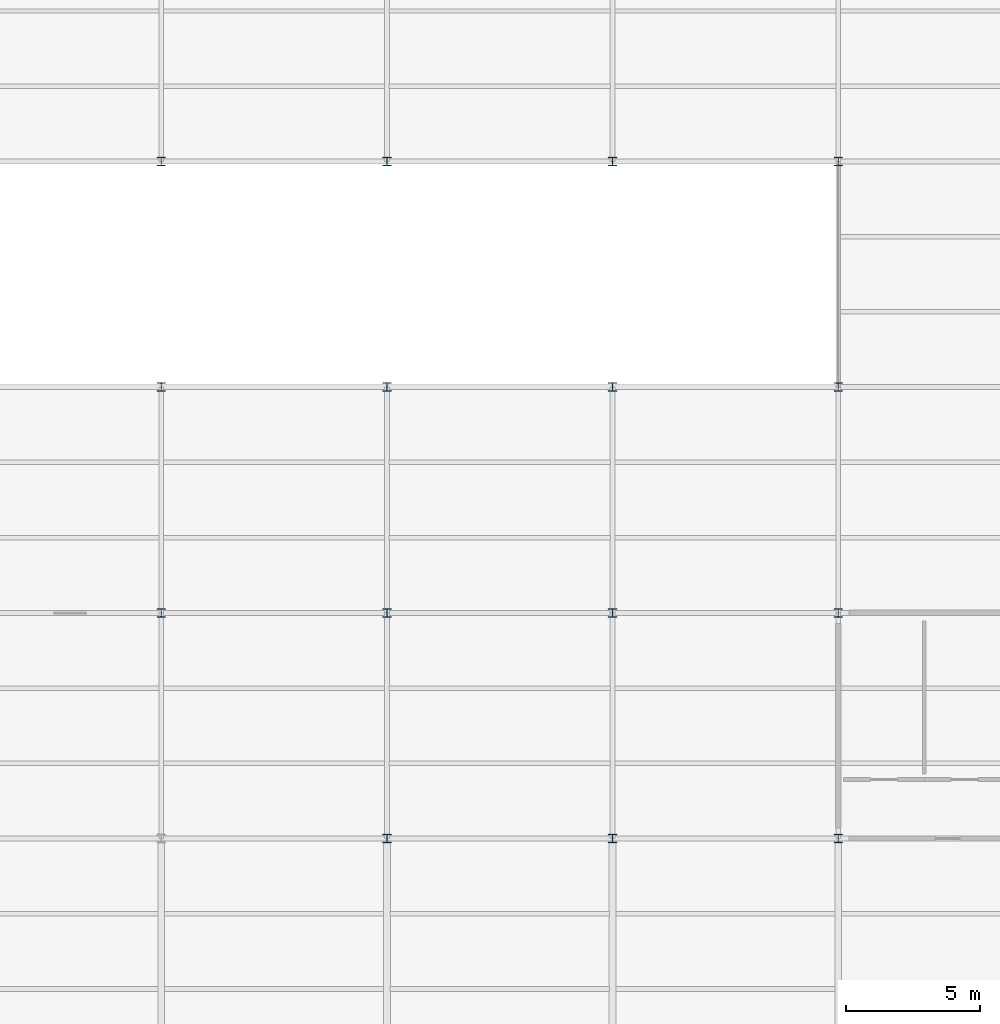
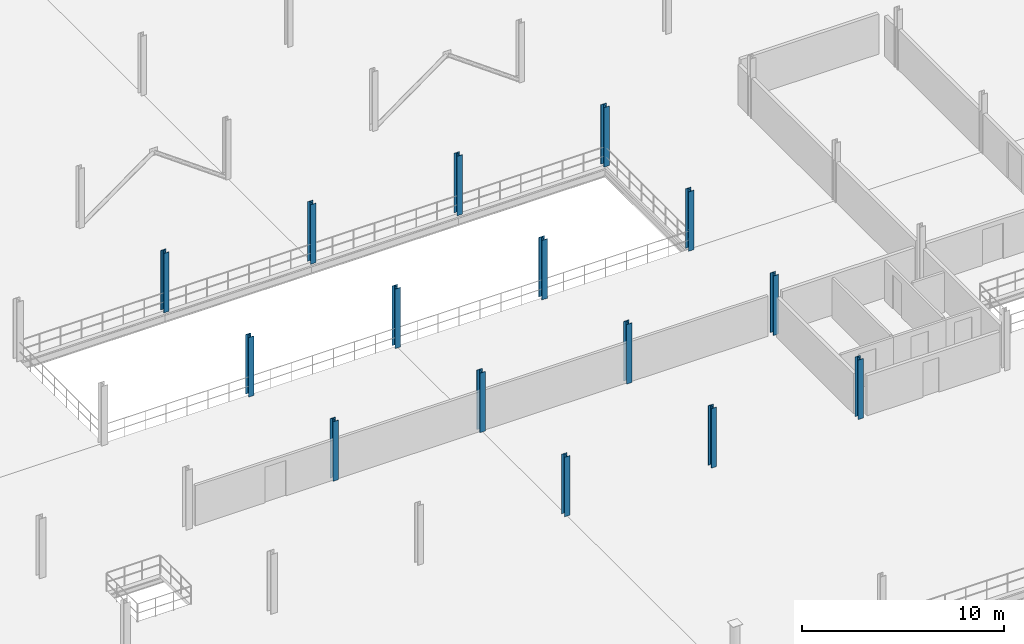
# One storey, part 4 of 47: 15 columns.
"""IFC4 building model written with IfcOpenShell, lengths in metres."""

from ifc_helpers import new_model, si_unit, direction, frame, origin, origin_2d, place, context, subcontext, project, spatial, i_section, extrude, material, material_profile, profile_set, type_object, element, save


model = new_model("IFC4")

# Units and contexts
model_context = context("Model", 3, precision=1e-05, world=origin(), true_north=direction((0.0, 1.0)))
body_context = subcontext(model_context, "Body", "Model", "MODEL_VIEW")
ifc_project = project(units=[si_unit("LENGTHUNIT", "METRE"), si_unit("AREAUNIT", "SQUARE_METRE"), si_unit("VOLUMEUNIT", "CUBIC_METRE"), si_unit("PLANEANGLEUNIT", "RADIAN"), si_unit("MASSUNIT", "GRAM", prefix="KILO"), si_unit("THERMODYNAMICTEMPERATUREUNIT", "KELVIN"), si_unit("POWERUNIT", "WATT")], contexts=[model_context])

# Site, building, storey
site_placement = place(None, origin())
site = spatial("IfcSite", under=ifc_project, at=site_placement, CompositionType="ELEMENT")
building_placement = place(site_placement, origin())
building = spatial("IfcBuilding", under=site, at=building_placement, Name="Tembeka Court Mobility Hub", CompositionType="ELEMENT")
storey_placement = place(building_placement, frame((0.0, 0.0, 19.800048828125)))
storey = spatial("IfcBuildingStorey", under=building, at=storey_placement, Name="L05", CompositionType="ELEMENT", Elevation=19.800048828125)

# Columns
ifc_material = material(Name="Steel S355", Category="steel")
ifc_material_profile = material_profile(ifc_material, i_section(OverallWidth=0.30908203125, OverallDepth=0.321044921875, WebThickness=0.013916015625, FlangeThickness=0.021728515625, FilletRadius=0.01513671875, at=origin_2d()), Name="UKC 305x305x137")
ifc_profile_set = profile_set([ifc_material_profile], Name="Steel S355")
column_type = type_object("IfcColumnType", Name="COL-C04", PredefinedType="COLUMN", material=ifc_profile_set)
for number, where, z_axis, x_axis, name in (
    (1, (33.60009765625, 46.800048828125, 0.0), (0.0, 0.0, 1.0), (1.0, 0.0, 0.0), "Column C04 (L05-051)"),
    (2, (33.60009765625, 55.199951171875, 0.0), (0.0, 0.0, 1.0), (1.0, 0.0, 0.0), "Column C04 (L05-052)"),
    (3, (33.60009765625, 63.60009765625, 0.0), (0.0, 0.0, 1.0), (1.0, 0.0, 0.0), "Column C04 (L05-053)"),
    (4, (42.0, 38.39990234375, 0.0), (0.0, 0.0, 1.0), (1.0, 0.0, 0.0), "Column C04 (L05-062)"),
    (5, (42.0, 46.800048828125, 0.0), (0.0, 0.0, 1.0), (1.0, 0.0, 0.0), "Column C04 (L05-063)"),
    (6, (42.0, 55.199951171875, 0.0), (0.0, 0.0, 1.0), (1.0, 0.0, 0.0), "Column C04 (L05-064)"),
    (7, (42.0, 63.60009765625, 0.0), (0.0, 0.0, 1.0), (1.0, 0.0, 0.0), "Column C04 (L05-065)"),
    (8, (50.39990234375, 38.39990234375, 0.0), (0.0, 0.0, 1.0), (1.0, 0.0, 0.0), "Column C04 (L05-074)"),
    (9, (50.39990234375, 46.800048828125, 0.0), (0.0, 0.0, 1.0), (1.0, 0.0, 0.0), "Column C04 (L05-075)"),
    (10, (50.39990234375, 55.199951171875, 0.0), (0.0, 0.0, 1.0), (1.0, 0.0, 0.0), "Column C04 (L05-076)"),
    (11, (50.39990234375, 63.60009765625, 0.0), (0.0, 0.0, 1.0), (1.0, 0.0, 0.0), "Column C04 (L05-077)"),
    (12, (58.800048828125, 38.39990234375, 0.0), (0.0, 0.0, 1.0), (1.0, 0.0, 0.0), "Column C04 (L05-085)"),
    (13, (58.800048828125, 46.800048828125, 0.0), (0.0, 0.0, 1.0), (1.0, 0.0, 0.0), "Column C04 (L05-086)"),
    (14, (58.800048828125, 55.199951171875, 0.0), (0.0, 0.0, 1.0), (1.0, 0.0, 0.0), "Column C04 (L05-087)"),
    (15, (58.800048828125, 63.60009765625, 0.0), (0.0, 0.0, 1.0), (1.0, 0.0, 0.0), "Column C04 (L05-088)"),
):
    element("IfcColumn", number, at=place(storey_placement, frame(where, z_axis=z_axis, x_axis=x_axis)), inside=storey, type_object=column_type, Name=name, PredefinedType="COLUMN", context=body_context, shape_type="SweptSolid", body=[
        extrude(i_section(OverallWidth=0.30908203125, OverallDepth=0.321044921875, WebThickness=0.013916015625, FlangeThickness=0.021728515625, FilletRadius=0.01513671875, at=origin_2d()), origin(), (0.0, 0.0, 1.0), 3.599853515625),
    ])

save(model, "model.ifc")
